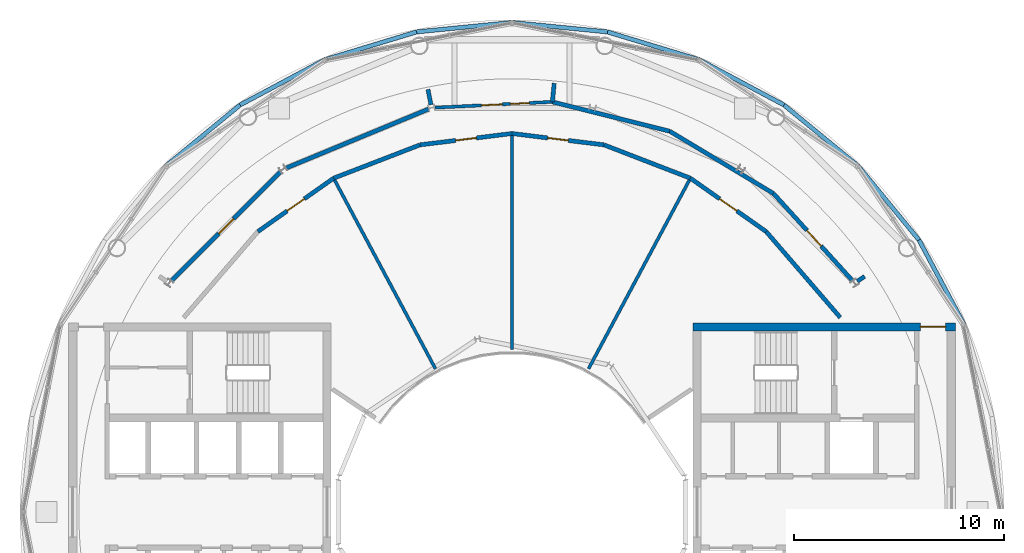
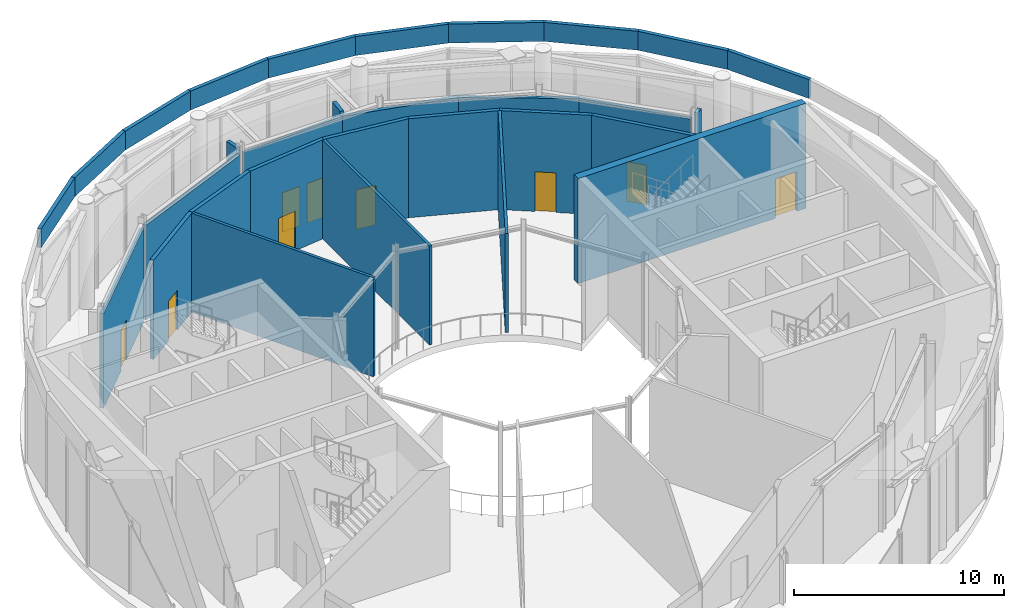
# One storey, part 14 of 20: 30 walls, 9 doors, 9 openings.
"""IFC4 building model written with IfcOpenShell, lengths in metres."""

from ifc_helpers import new_model, si_unit, direction, frame, frame_2d, origin, place, context, subcontext, project, spatial, rectangle, extrude, material, layer, layer_set, type_object, element, fill, save


model = new_model("IFC4")

# Units and contexts
model_context = context("Model", 3, precision=1e-05, world=origin(), true_north=direction((0.0, 1.0)))
body_context = subcontext(model_context, "Body", "Model", "MODEL_VIEW")
ifc_project = project(units=[si_unit("LENGTHUNIT", "METRE"), si_unit("AREAUNIT", "SQUARE_METRE"), si_unit("VOLUMEUNIT", "CUBIC_METRE"), si_unit("PLANEANGLEUNIT", "RADIAN"), si_unit("MASSUNIT", "GRAM", prefix="KILO")], contexts=[model_context])

# Site, building, storey
site_placement = place(None, origin())
site = spatial("IfcSite", under=ifc_project, at=site_placement, CompositionType="ELEMENT")
building_placement = place(site_placement, origin())
building = spatial("IfcBuilding", under=site, at=building_placement, Name="Maasbend Ring Residences", CompositionType="ELEMENT")
storey_placement = place(building_placement, frame((0.0, 0.0, 255.39990234375)))
storey = spatial("IfcBuildingStorey", under=building, at=storey_placement, Name="L74", CompositionType="ELEMENT", Elevation=255.39990234375)

# Wall, opening, door
ifc_material_1 = material(Name="Concrete C50/60", Category="concrete")
ifc_layer_1 = layer(ifc_material_1, 0.39990234375)
ifc_layer_set_1 = layer_set([ifc_layer_1], Name="Concrete C50/60")
wall_type_1 = type_object("IfcWallType", Name="CORE WALL 400 C50/60", PredefinedType="SHEAR", material=ifc_layer_set_1)
wall_1_placement = place(storey_placement, frame((21.10009765625, 8.800048828125, 0.0), z_axis=(0.0, 0.0, 1.0), x_axis=(-1.0, 0.0, 0.0)))
wall_1 = element("IfcWall", 1, at=wall_1_placement, inside=storey, type_object=wall_type_1, Name="L74 core E wall PN", PredefinedType="SHEAR", context=body_context, shape_type="SweptSolid", body=[
    extrude(rectangle(XDim=12.5, YDim=0.39990234375, at=frame_2d((6.25, 0.0))), origin(), (0.0, 0.0, 1.0), 6.10009765625),
])
opening_1_placement = place(wall_1_placement, frame((0.47509765625, 0.0, 0.0)))
opening_1 = element("IfcOpeningElement", 2, at=opening_1_placement, cuts=wall_1, Name="Opening D-E7416", PredefinedType="OPENING", context=body_context, shape_type="SweptSolid", body=[
    extrude(rectangle(XDim=1.199951171875, YDim=2.300048828125, at=frame_2d((0.60009765625, 1.14990234375))), frame((0.0, 0.2099609375, 0.0), z_axis=(0.0, -1.0, 0.0), x_axis=(1.0, 0.0, 0.0)), (0.0, 0.0, 1.0), 0.419921875),
])
ifc_material_2 = material(Name="Steel, powder coated", Category="steel")
door_type_1 = type_object("IfcDoorType", Name="CORRIDOR DOOR 1200 X 2300 FD30S", OperationType="NOTDEFINED", PredefinedType="DOOR", material=ifc_material_2)
door_1_placement = place(opening_1_placement, origin())
door_1 = element("IfcDoor", 3, at=door_1_placement, inside=storey, type_object=door_type_1, Name="Corridor door L74", OperationType="SINGLE_SWING_RIGHT", OverallHeight=2.300048828125, OverallWidth=1.199951171875, PredefinedType="DOOR", context=body_context, shape_type="SweptSolid", body=[
    extrude(rectangle(XDim=1.199951171875, YDim=2.300048828125, at=frame_2d((0.60009765625, 1.14990234375))), frame((0.0, 0.02490234375, 0.0), z_axis=(0.0, -1.0, 0.0), x_axis=(1.0, 0.0, 0.0)), (0.0, 0.0, 1.0), 0.050048828125),
])
fill(opening_1, door_1)

# Walls
ifc_material_3 = material(Name="Concrete C30/37", Category="concrete")
ifc_layer_2 = layer(ifc_material_3, 0.199951171875)
ifc_layer_set_2 = layer_set([ifc_layer_2], Name="Concrete C30/37")
wall_type_2 = type_object("IfcWallType", Name="CORRIDOR WALL 200 CONCRETE", PredefinedType="PARTITIONING", material=ifc_layer_set_2)
wall_2_placement = place(storey_placement, frame((-3.9970703125, 20.094970703125, 0.0), z_axis=(0.0, 0.0, 1.0), x_axis=(0.194908923467, -0.98082134538, 0.0)))
element("IfcWall", 4, at=wall_2_placement, inside=storey, type_object=wall_type_2, Name="U-L74-w018", PredefinedType="PARTITIONING", context=body_context, shape_type="SweptSolid", body=[
    extrude(rectangle(XDim=0.739013671875, YDim=0.199951171875, at=frame_2d((0.36962890625, 0.0))), origin(), (0.0, 0.0, 1.0), 5.75),
])
wall_3_placement = place(storey_placement, frame((1.9208984375, 19.506103515625, 0.0), z_axis=(0.0, 0.0, 1.0), x_axis=(0.098142687883, 0.995172353321, 0.0)))
element("IfcWall", 5, at=wall_3_placement, inside=storey, type_object=wall_type_2, Name="U-L74-w027", PredefinedType="PARTITIONING", context=body_context, shape_type="SweptSolid", body=[
    extrude(rectangle(XDim=0.88818359375, YDim=0.199951171875, at=frame_2d((0.444091796875, 0.0))), origin(), (0.0, 0.0, 1.0), 5.75),
])
wall_4_placement = place(storey_placement, frame((16.423095703125, 10.969970703125, 0.0), z_axis=(0.0, 0.0, 1.0), x_axis=(0.830972164162, 0.556313996218, 0.0)))
element("IfcWall", 6, at=wall_4_placement, inside=storey, type_object=wall_type_2, Name="U-L74-w031", PredefinedType="PARTITIONING", context=body_context, shape_type="SweptSolid", body=[
    extrude(rectangle(XDim=0.418701171875, YDim=0.199951171875, at=frame_2d((0.20947265625, 0.0))), origin(), (0.0, 0.0, 1.0), 5.75),
])

# Wall, opening, door
wall_5_placement = place(storey_placement, frame((-12.087890625, 13.3369140625, 0.0), z_axis=(0.0, 0.0, 1.0), x_axis=(0.817507922666, 0.575917352038, 0.0)))
wall_5 = element("IfcWall", 7, at=wall_5_placement, inside=storey, type_object=wall_type_2, Name="U-L74-w035", PredefinedType="PARTITIONING", context=body_context, shape_type="SweptSolid", body=[
    extrude(rectangle(XDim=4.406982421875, YDim=0.199951171875, at=frame_2d((2.20361328125, 0.0))), origin(), (0.0, 0.0, 1.0), 5.75),
])
opening_2_placement = place(wall_5_placement, frame((1.7041015625, 0.0, 0.0)))
opening_2 = element("IfcOpeningElement", 8, at=opening_2_placement, cuts=wall_5, Name="Opening D-7408", PredefinedType="OPENING", context=body_context, shape_type="SweptSolid", body=[
    extrude(rectangle(XDim=1.0, YDim=2.300048828125, at=frame_2d((0.5, 1.14990234375))), frame((0.0, 0.10986328125, 0.0), z_axis=(0.0, -1.0, 0.0), x_axis=(1.0, 0.0, 0.0)), (0.0, 0.0, 1.0), 0.219970703125),
])
ifc_material_4 = material(Name="Timber, painted", Category="wood")
door_type_2 = type_object("IfcDoorType", Name="ROOM DOOR 1000 X 2300", OperationType="NOTDEFINED", PredefinedType="DOOR", material=ifc_material_4)
door_2_placement = place(opening_2_placement, origin())
door_2 = element("IfcDoor", 9, at=door_2_placement, inside=storey, type_object=door_type_2, Name="D-7408", OperationType="SINGLE_SWING_RIGHT", OverallHeight=2.300048828125, OverallWidth=1.0, PredefinedType="DOOR", context=body_context, shape_type="SweptSolid", body=[
    extrude(rectangle(XDim=1.0, YDim=2.300048828125, at=frame_2d((0.5, 1.14990234375))), frame((0.0, 0.02490234375, 0.0), z_axis=(0.0, -1.0, 0.0), x_axis=(1.0, 0.0, 0.0)), (0.0, 0.0, 1.0), 0.050048828125),
])
fill(opening_2, door_2)

wall_6_placement = place(storey_placement, frame((-4.3740234375, 17.4609375, 0.0), z_axis=(0.0, 0.0, 1.0), x_axis=(0.992491158779, 0.122316391973, 0.0)))
wall_6 = element("IfcWall", 10, at=wall_6_placement, inside=storey, type_object=wall_type_2, Name="U-L74-w036", PredefinedType="PARTITIONING", context=body_context, shape_type="SweptSolid", body=[
    extrude(rectangle(XDim=4.4072265625, YDim=0.199951171875, at=frame_2d((2.20361328125, 0.0))), origin(), (0.0, 0.0, 1.0), 5.75),
])
opening_3_placement = place(wall_6_placement, frame((1.7041015625, 0.0, 0.0)))
opening_3 = element("IfcOpeningElement", 11, at=opening_3_placement, cuts=wall_6, Name="Opening D-7407", PredefinedType="OPENING", context=body_context, shape_type="SweptSolid", body=[
    extrude(rectangle(XDim=1.0, YDim=2.300048828125, at=frame_2d((0.5, 1.14990234375))), frame((0.0, 0.10986328125, 0.0), z_axis=(0.0, -1.0, 0.0), x_axis=(1.0, 0.0, 0.0)), (0.0, 0.0, 1.0), 0.219970703125),
])
door_3_placement = place(opening_3_placement, origin())
door_3 = element("IfcDoor", 12, at=door_3_placement, inside=storey, type_object=door_type_2, Name="D-7407", OperationType="SINGLE_SWING_RIGHT", OverallHeight=2.300048828125, OverallWidth=1.0, PredefinedType="DOOR", context=body_context, shape_type="SweptSolid", body=[
    extrude(rectangle(XDim=1.0, YDim=2.300048828125, at=frame_2d((0.5, 1.14990234375))), frame((0.0, 0.02490234375, 0.0), z_axis=(0.0, -1.0, 0.0), x_axis=(1.0, 0.0, 0.0)), (0.0, 0.0, 1.0), 0.050048828125),
])
fill(opening_3, door_3)

wall_7_placement = place(storey_placement, frame((0.0, 18.0, 0.0), z_axis=(0.0, 0.0, 1.0), x_axis=(0.992491158779, -0.122316391973, 0.0)))
wall_7 = element("IfcWall", 13, at=wall_7_placement, inside=storey, type_object=wall_type_2, Name="U-L74-w037", PredefinedType="PARTITIONING", context=body_context, shape_type="SweptSolid", body=[
    extrude(rectangle(XDim=4.4072265625, YDim=0.199951171875, at=frame_2d((2.20361328125, 0.0))), origin(), (0.0, 0.0, 1.0), 5.75),
])
opening_4_placement = place(wall_7_placement, frame((1.7041015625, 0.0, 0.0)))
opening_4 = element("IfcOpeningElement", 14, at=opening_4_placement, cuts=wall_7, Name="Opening D-7406", PredefinedType="OPENING", context=body_context, shape_type="SweptSolid", body=[
    extrude(rectangle(XDim=1.0, YDim=2.300048828125, at=frame_2d((0.5, 1.14990234375))), frame((0.0, 0.10986328125, 0.0), z_axis=(0.0, -1.0, 0.0), x_axis=(1.0, 0.0, 0.0)), (0.0, 0.0, 1.0), 0.219970703125),
])
door_4_placement = place(opening_4_placement, origin())
door_4 = element("IfcDoor", 15, at=door_4_placement, inside=storey, type_object=door_type_2, Name="D-7406", OperationType="SINGLE_SWING_LEFT", OverallHeight=2.300048828125, OverallWidth=1.0, PredefinedType="DOOR", context=body_context, shape_type="SweptSolid", body=[
    extrude(rectangle(XDim=1.0, YDim=2.300048828125, at=frame_2d((0.5, 1.14990234375))), frame((0.0, 0.02490234375, 0.0), z_axis=(0.0, -1.0, 0.0), x_axis=(1.0, 0.0, 0.0)), (0.0, 0.0, 1.0), 0.050048828125),
])
fill(opening_4, door_4)

wall_8_placement = place(storey_placement, frame((8.485107421875, 15.875, 0.0), z_axis=(0.0, 0.0, 1.0), x_axis=(0.817507922666, -0.575917352038, 0.0)))
wall_8 = element("IfcWall", 16, at=wall_8_placement, inside=storey, type_object=wall_type_2, Name="U-L74-w038", PredefinedType="PARTITIONING", context=body_context, shape_type="SweptSolid", body=[
    extrude(rectangle(XDim=4.406982421875, YDim=0.199951171875, at=frame_2d((2.20361328125, 0.0))), origin(), (0.0, 0.0, 1.0), 5.75),
])
opening_5_placement = place(wall_8_placement, frame((1.7041015625, 0.0, 0.0)))
opening_5 = element("IfcOpeningElement", 17, at=opening_5_placement, cuts=wall_8, Name="Opening D-7405", PredefinedType="OPENING", context=body_context, shape_type="SweptSolid", body=[
    extrude(rectangle(XDim=1.0, YDim=2.300048828125, at=frame_2d((0.5, 1.14990234375))), frame((0.0, 0.10986328125, 0.0), z_axis=(0.0, -1.0, 0.0), x_axis=(1.0, 0.0, 0.0)), (0.0, 0.0, 1.0), 0.219970703125),
])
door_5_placement = place(opening_5_placement, origin())
door_5 = element("IfcDoor", 18, at=door_5_placement, inside=storey, type_object=door_type_2, Name="D-7405", OperationType="SINGLE_SWING_LEFT", OverallHeight=2.300048828125, OverallWidth=1.0, PredefinedType="DOOR", context=body_context, shape_type="SweptSolid", body=[
    extrude(rectangle(XDim=1.0, YDim=2.300048828125, at=frame_2d((0.5, 1.14990234375))), frame((0.0, 0.02490234375, 0.0), z_axis=(0.0, -1.0, 0.0), x_axis=(1.0, 0.0, 0.0)), (0.0, 0.0, 1.0), 0.050048828125),
])
fill(opening_5, door_5)

# Walls
wall_9_placement = place(storey_placement, frame((12.087890625, 13.3369140625, 0.0), z_axis=(0.0, 0.0, 1.0), x_axis=(0.653146301984, -0.757231740093, 0.0)))
element("IfcWall", 19, at=wall_9_placement, inside=storey, type_object=wall_type_2, Name="U-L74-w039", PredefinedType="PARTITIONING", context=body_context, shape_type="SweptSolid", body=[
    extrude(rectangle(XDim=5.397216796875, YDim=0.199951171875, at=frame_2d((2.69873046875, 0.0))), origin(), (0.0, 0.0, 1.0), 5.75),
])
for number, where, z_axis, x_axis, name in (
    (20, (-8.485107421875, 15.875, 0.0), (0.0, 0.0, 1.0), (0.932983851272, 0.35991823136, 0.0), "U-L74-w040"),
    (21, (4.3740234375, 17.4609375, 0.0), (0.0, 0.0, 1.0), (0.932983851272, -0.35991823136, 0.0), "U-L74-w041"),
):
    element("IfcWall", number, at=place(storey_placement, frame(where, z_axis=z_axis, x_axis=x_axis)), inside=storey, type_object=wall_type_2, Name=name, PredefinedType="PARTITIONING", context=body_context, shape_type="SweptSolid", body=[
        extrude(rectangle(XDim=4.406494140625, YDim=0.199951171875, at=frame_2d((2.203125, 0.0))), origin(), (0.0, 0.0, 1.0), 5.75),
    ])

# Wall, opening, door
wall_10_placement = place(storey_placement, frame((-16.18896484375, 10.9970703125, 0.0), z_axis=(0.0, 0.0, 1.0), x_axis=(0.707106781187, 0.707106781187, 0.0)))
wall_10 = element("IfcWall", 22, at=wall_10_placement, inside=storey, type_object=wall_type_2, Name="U-L74-w042", PredefinedType="PARTITIONING", context=body_context, shape_type="SweptSolid", body=[
    extrude(rectangle(XDim=7.342529296875, YDim=0.199951171875, at=frame_2d((3.67138671875, 0.0))), origin(), (0.0, 0.0, 1.0), 5.5),
])
opening_6_placement = place(wall_10_placement, frame((3.1708984375, 0.0, 0.0)))
opening_6 = element("IfcOpeningElement", 23, at=opening_6_placement, cuts=wall_10, Name="Opening D-7404", PredefinedType="OPENING", context=body_context, shape_type="SweptSolid", body=[
    extrude(rectangle(XDim=1.0, YDim=2.300048828125, at=frame_2d((0.5, 1.14990234375))), frame((0.0, 0.10986328125, 0.0), z_axis=(0.0, -1.0, 0.0), x_axis=(1.0, 0.0, 0.0)), (0.0, 0.0, 1.0), 0.219970703125),
])
door_6_placement = place(opening_6_placement, origin())
door_6 = element("IfcDoor", 24, at=door_6_placement, inside=storey, type_object=door_type_2, Name="D-7404", OperationType="SINGLE_SWING_RIGHT", OverallHeight=2.300048828125, OverallWidth=1.0, PredefinedType="DOOR", context=body_context, shape_type="SweptSolid", body=[
    extrude(rectangle(XDim=1.0, YDim=2.300048828125, at=frame_2d((0.5, 1.14990234375))), frame((0.0, 0.02490234375, 0.0), z_axis=(0.0, -1.0, 0.0), x_axis=(1.0, 0.0, 0.0)), (0.0, 0.0, 1.0), 0.050048828125),
])
fill(opening_6, door_6)

# Walls
wall_11_placement = place(storey_placement, frame((-10.748046875, 16.35498046875, 0.0), z_axis=(0.0, 0.0, 1.0), x_axis=(0.923857139404, 0.382737489635, 0.0)))
element("IfcWall", 25, at=wall_11_placement, inside=storey, type_object=wall_type_2, Name="U-L74-w043", PredefinedType="PARTITIONING", context=body_context, shape_type="SweptSolid", body=[
    extrude(rectangle(XDim=7.342041015625, YDim=0.199951171875, at=frame_2d((3.6708984375, 0.0))), origin(), (0.0, 0.0, 1.0), 5.5),
])
wall_12_placement = place(storey_placement, frame((1.9208984375, 19.506103515625, 0.0), z_axis=(0.0, 0.0, 1.0), x_axis=(0.970012544183, -0.243054858266, 0.0)))
element("IfcWall", 26, at=wall_12_placement, inside=storey, type_object=wall_type_2, Name="U-L74-w045", PredefinedType="PARTITIONING", context=body_context, shape_type="SweptSolid", body=[
    extrude(rectangle(XDim=5.752685546875, YDim=0.199951171875, at=frame_2d((2.87646484375, 0.0))), origin(), (0.0, 0.0, 1.0), 5.5),
])
wall_13_placement = place(storey_placement, frame((7.5009765625, 18.10791015625, 0.0), z_axis=(0.0, 0.0, 1.0), x_axis=(0.857710084627, -0.514133650648, 0.0)))
element("IfcWall", 27, at=wall_13_placement, inside=storey, type_object=wall_type_2, Name="U-L74-w046", PredefinedType="PARTITIONING", context=body_context, shape_type="SweptSolid", body=[
    extrude(rectangle(XDim=5.75146484375, YDim=0.199951171875, at=frame_2d((2.875732421875, 0.0))), origin(), (0.0, 0.0, 1.0), 5.5),
])

# Wall, opening, door
wall_14_placement = place(storey_placement, frame((12.43408203125, 15.15087890625, 0.0), z_axis=(0.0, 0.0, 1.0), x_axis=(0.671532887857, -0.740974750262, 0.0)))
wall_14 = element("IfcWall", 28, at=wall_14_placement, inside=storey, type_object=wall_type_2, Name="U-L74-w047", PredefinedType="PARTITIONING", context=body_context, shape_type="SweptSolid", body=[
    extrude(rectangle(XDim=5.6005859375, YDim=0.199951171875, at=frame_2d((2.80029296875, 0.0))), origin(), (0.0, 0.0, 1.0), 5.5),
])
opening_7_placement = place(wall_14_placement, frame((2.376953125, 0.0, 0.0)))
opening_7 = element("IfcOpeningElement", 29, at=opening_7_placement, cuts=wall_14, Name="Opening D-7403", PredefinedType="OPENING", context=body_context, shape_type="SweptSolid", body=[
    extrude(rectangle(XDim=1.0, YDim=2.300048828125, at=frame_2d((0.5, 1.14990234375))), frame((0.0, 0.10986328125, 0.0), z_axis=(0.0, -1.0, 0.0), x_axis=(1.0, 0.0, 0.0)), (0.0, 0.0, 1.0), 0.219970703125),
])
door_7_placement = place(opening_7_placement, origin())
door_7 = element("IfcDoor", 30, at=door_7_placement, inside=storey, type_object=door_type_2, Name="D-7403", OperationType="SINGLE_SWING_RIGHT", OverallHeight=2.300048828125, OverallWidth=1.0, PredefinedType="DOOR", context=body_context, shape_type="SweptSolid", body=[
    extrude(rectangle(XDim=1.0, YDim=2.300048828125, at=frame_2d((0.5, 1.14990234375))), frame((0.0, 0.02490234375, 0.0), z_axis=(0.0, -1.0, 0.0), x_axis=(1.0, 0.0, 0.0)), (0.0, 0.0, 1.0), 0.050048828125),
])
fill(opening_7, door_7)

# Walls
ifc_material_5 = material(Name="Gypsum board on steel studs", Category="steel")
ifc_layer_3 = layer(ifc_material_5, 0.14990234375)
ifc_layer_set_3 = layer_set([ifc_layer_3], Name="PARTITION 150 GYPSUM")
wall_type_3 = type_object("IfcWallType", Name="PARTITION 150 GYPSUM", PredefinedType="PARTITIONING", material=ifc_layer_set_3)
wall_15_placement = place(storey_placement, frame((-8.485107421875, 15.875, 0.0), z_axis=(0.0, 0.0, 1.0), x_axis=(0.471384277318, -0.881927923981, 0.0)))
element("IfcWall", 31, at=wall_15_placement, inside=storey, type_object=wall_type_3, Name="U-L74-w021", PredefinedType="PARTITIONING", context=body_context, shape_type="SweptSolid", body=[
    extrude(rectangle(XDim=10.28076171875, YDim=0.14990234375, at=frame_2d((5.140380859375, 0.0))), origin(), (0.0, 0.0, 1.0), 5.75),
])
wall_16_placement = place(storey_placement, frame((0.0, 7.719970703125, 0.0), z_axis=(0.0, 0.0, 1.0), x_axis=(0.0, 1.0, 0.0)))
element("IfcWall", 32, at=wall_16_placement, inside=storey, type_object=wall_type_3, Name="U-L74-w026", PredefinedType="PARTITIONING", context=body_context, shape_type="SweptSolid", body=[
    extrude(rectangle(XDim=10.280029296875, YDim=0.14990234375, at=frame_2d((5.14013671875, 0.0))), origin(), (0.0, 0.0, 1.0), 5.75),
])
wall_17_placement = place(storey_placement, frame((3.638916015625, 6.80810546875, 0.0), z_axis=(0.0, 0.0, 1.0), x_axis=(0.471384277318, 0.881927923981, 0.0)))
element("IfcWall", 33, at=wall_17_placement, inside=storey, type_object=wall_type_3, Name="U-L74-w029", PredefinedType="PARTITIONING", context=body_context, shape_type="SweptSolid", body=[
    extrude(rectangle(XDim=10.28076171875, YDim=0.14990234375, at=frame_2d((5.140380859375, 0.0))), origin(), (0.0, 0.0, 1.0), 5.75),
])

# Wall, openings, doors
wall_18_placement = place(storey_placement, frame((-3.672119140625, 19.22998046875, 0.0), z_axis=(0.0, 0.0, 1.0), x_axis=(0.998783562084, 0.049309188909, 0.0)))
wall_18 = element("IfcWall", 34, at=wall_18_placement, inside=storey, type_object=wall_type_3, Name="U-L74-w044", PredefinedType="PARTITIONING", context=body_context, shape_type="SweptSolid", body=[
    extrude(rectangle(XDim=5.599853515625, YDim=0.14990234375, at=frame_2d((2.7998046875, 0.0))), origin(), (0.0, 0.0, 1.0), 5.5),
])
opening_8_placement = place(wall_18_placement, frame((2.22412109375, 0.0, 0.0)))
opening_8 = element("IfcOpeningElement", 35, at=opening_8_placement, cuts=wall_18, Name="Opening D-7401", PredefinedType="OPENING", context=body_context, shape_type="SweptSolid", body=[
    extrude(rectangle(XDim=1.0, YDim=2.300048828125, at=frame_2d((0.5, 1.14990234375))), frame((0.0, 0.0849609375, 0.0), z_axis=(0.0, -1.0, 0.0), x_axis=(1.0, 0.0, 0.0)), (0.0, 0.0, 1.0), 0.169921875),
])
opening_9_placement = place(wall_18_placement, frame((3.597900390625, 0.0, 0.0)))
opening_9 = element("IfcOpeningElement", 36, at=opening_9_placement, cuts=wall_18, Name="Opening D-7415", PredefinedType="OPENING", context=body_context, shape_type="SweptSolid", body=[
    extrude(rectangle(XDim=0.89990234375, YDim=2.300048828125, at=frame_2d((0.449951171875, 1.14990234375))), frame((0.0, 0.0849609375, 0.0), z_axis=(0.0, -1.0, 0.0), x_axis=(1.0, 0.0, 0.0)), (0.0, 0.0, 1.0), 0.169921875),
])
ifc_material_6 = material(Name="Timber, painted", Category="wood")
door_type_3 = type_object("IfcDoorType", Name="INTERNAL DOOR 900 X 2300", OperationType="NOTDEFINED", PredefinedType="DOOR", material=ifc_material_6)
door_8_placement = place(opening_9_placement, origin())
door_8 = element("IfcDoor", 37, at=door_8_placement, inside=storey, type_object=door_type_3, Name="D-7415", OperationType="SINGLE_SWING_RIGHT", OverallHeight=2.300048828125, OverallWidth=0.89990234375, PredefinedType="DOOR", context=body_context, shape_type="SweptSolid", body=[
    extrude(rectangle(XDim=0.89990234375, YDim=2.300048828125, at=frame_2d((0.449951171875, 1.14990234375))), frame((0.0, 0.02490234375, 0.0), z_axis=(0.0, -1.0, 0.0), x_axis=(1.0, 0.0, 0.0)), (0.0, 0.0, 1.0), 0.050048828125),
])
fill(opening_9, door_8)
door_9_placement = place(opening_8_placement, origin())
door_9 = element("IfcDoor", 38, at=door_9_placement, inside=storey, type_object=door_type_2, Name="D-7401", OperationType="SINGLE_SWING_LEFT", OverallHeight=2.300048828125, OverallWidth=1.0, PredefinedType="DOOR", context=body_context, shape_type="SweptSolid", body=[
    extrude(rectangle(XDim=1.0, YDim=2.300048828125, at=frame_2d((0.5, 1.14990234375))), frame((0.0, 0.02490234375, 0.0), z_axis=(0.0, -1.0, 0.0), x_axis=(1.0, 0.0, 0.0)), (0.0, 0.0, 1.0), 0.050048828125),
])
fill(opening_8, door_9)

# Walls
ifc_material_7 = material(Name="Pale anodised aluminium panel", Category="aluminium")
ifc_layer_4 = layer(ifc_material_7, 0.199951171875)
ifc_layer_set_4 = layer_set([ifc_layer_4], Name="WALL-PARAPET")
wall_type_4 = type_object("IfcWallType", Name="WALL-PARAPET", PredefinedType="PARAPET", material=ifc_layer_set_4)
wall_19_placement = place(storey_placement, frame((21.508056640625, 8.908935546875, 6.10009765625), z_axis=(0.0, 0.0, 1.0), x_axis=(-0.471334945511, 0.881954289711, 0.0)))
element("IfcWall", 39, at=wall_19_placement, inside=storey, type_object=wall_type_4, Name="Roof parapet 3", PredefinedType="PARAPET", context=body_context, shape_type="SweptSolid", body=[
    extrude(rectangle(XDim=4.56396484375, YDim=0.199951171875, at=frame_2d((2.281982421875, 0.0))), origin(), (0.0, 0.0, 1.0), 1.10009765625),
])
for number, where, z_axis, x_axis, name in (
    (40, (19.35693359375, 12.93408203125, 6.10009765625), (0.0, 0.0, 1.0), (-0.6346002271, 0.772840573317, 0.0), "Roof parapet 4"),
    (41, (16.4609375, 16.4609375, 6.10009765625), (0.0, 0.0, 1.0), (-0.772840573317, 0.6346002271, 0.0), "Roof parapet 5"),
):
    element("IfcWall", number, at=place(storey_placement, frame(where, z_axis=z_axis, x_axis=x_axis)), inside=storey, type_object=wall_type_4, Name=name, PredefinedType="PARAPET", context=body_context, shape_type="SweptSolid", body=[
        extrude(rectangle(XDim=4.5634765625, YDim=0.199951171875, at=frame_2d((2.28173828125, 0.0))), origin(), (0.0, 0.0, 1.0), 1.10009765625),
    ])
wall_20_placement = place(storey_placement, frame((12.93408203125, 19.35693359375, 6.10009765625), z_axis=(0.0, 0.0, 1.0), x_axis=(-0.881954289711, 0.471334945511, 0.0)))
element("IfcWall", 42, at=wall_20_placement, inside=storey, type_object=wall_type_4, Name="Roof parapet 6", PredefinedType="PARAPET", context=body_context, shape_type="SweptSolid", body=[
    extrude(rectangle(XDim=4.56396484375, YDim=0.199951171875, at=frame_2d((2.281982421875, 0.0))), origin(), (0.0, 0.0, 1.0), 1.10009765625),
])
wall_21_placement = place(storey_placement, frame((8.908935546875, 21.508056640625, 6.10009765625), z_axis=(0.0, 0.0, 1.0), x_axis=(-0.956924910545, 0.29033552242, 0.0)))
element("IfcWall", 43, at=wall_21_placement, inside=storey, type_object=wall_type_4, Name="Roof parapet 7", PredefinedType="PARAPET", context=body_context, shape_type="SweptSolid", body=[
    extrude(rectangle(XDim=4.5634765625, YDim=0.199951171875, at=frame_2d((2.28173828125, 0.0))), origin(), (0.0, 0.0, 1.0), 1.10009765625),
])
for number, where, z_axis, x_axis, name in (
    (44, (4.5419921875, 22.8330078125, 6.10009765625), (0.0, 0.0, 1.0), (-0.995191685363, 0.097946461831, 0.0), "Roof parapet 8"),
    (45, (0.0, 23.280029296875, 6.10009765625), (0.0, 0.0, 1.0), (-0.995191685363, -0.097946461831, 0.0), "Roof parapet 9"),
):
    element("IfcWall", number, at=place(storey_placement, frame(where, z_axis=z_axis, x_axis=x_axis)), inside=storey, type_object=wall_type_4, Name=name, PredefinedType="PARAPET", context=body_context, shape_type="SweptSolid", body=[
        extrude(rectangle(XDim=4.56396484375, YDim=0.199951171875, at=frame_2d((2.281982421875, 0.0))), origin(), (0.0, 0.0, 1.0), 1.10009765625),
    ])
wall_22_placement = place(storey_placement, frame((-4.5419921875, 22.8330078125, 6.10009765625), z_axis=(0.0, 0.0, 1.0), x_axis=(-0.956924910545, -0.29033552242, 0.0)))
element("IfcWall", 46, at=wall_22_placement, inside=storey, type_object=wall_type_4, Name="Roof parapet 10", PredefinedType="PARAPET", context=body_context, shape_type="SweptSolid", body=[
    extrude(rectangle(XDim=4.5634765625, YDim=0.199951171875, at=frame_2d((2.28173828125, 0.0))), origin(), (0.0, 0.0, 1.0), 1.10009765625),
])
wall_23_placement = place(storey_placement, frame((-8.908935546875, 21.508056640625, 6.10009765625), z_axis=(0.0, 0.0, 1.0), x_axis=(-0.881954289711, -0.471334945511, 0.0)))
element("IfcWall", 47, at=wall_23_placement, inside=storey, type_object=wall_type_4, Name="Roof parapet 11", PredefinedType="PARAPET", context=body_context, shape_type="SweptSolid", body=[
    extrude(rectangle(XDim=4.56396484375, YDim=0.199951171875, at=frame_2d((2.281982421875, 0.0))), origin(), (0.0, 0.0, 1.0), 1.10009765625),
])
wall_24_placement = place(storey_placement, frame((-12.93408203125, 19.35693359375, 6.10009765625), z_axis=(0.0, 0.0, 1.0), x_axis=(-0.772840573317, -0.6346002271, 0.0)))
element("IfcWall", 48, at=wall_24_placement, inside=storey, type_object=wall_type_4, Name="Roof parapet 12", PredefinedType="PARAPET", context=body_context, shape_type="SweptSolid", body=[
    extrude(rectangle(XDim=4.5634765625, YDim=0.199951171875, at=frame_2d((2.28173828125, 0.0))), origin(), (0.0, 0.0, 1.0), 1.10009765625),
])

save(model, "model.ifc")
